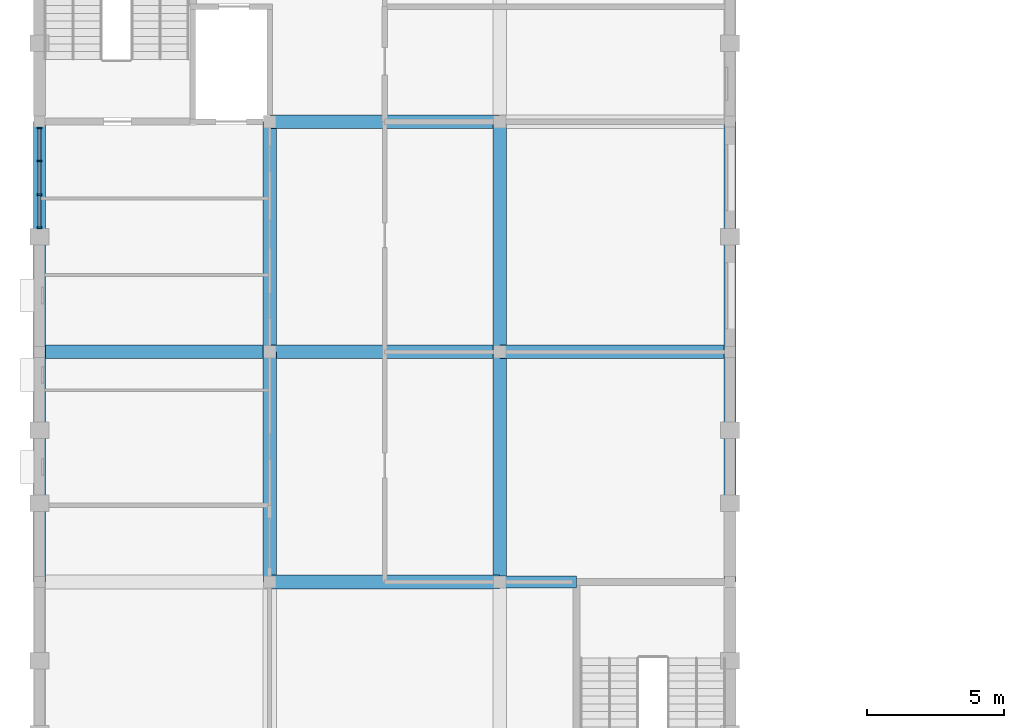
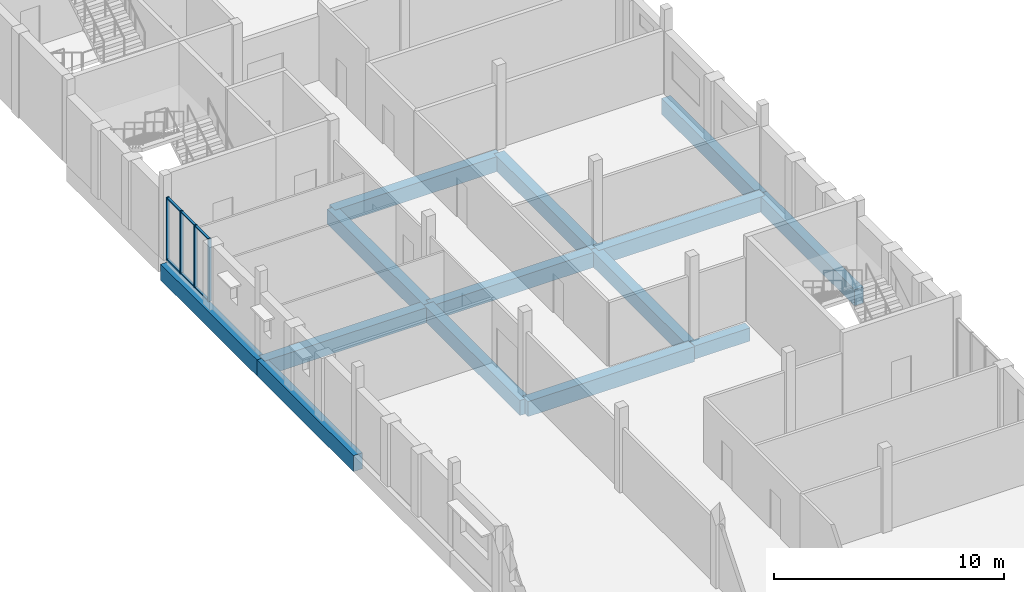
# One storey, part 5 of 30: 14 beams, 10 members, 1 element without a shape of its own.
"""IFC4 building model written with IfcOpenShell, lengths in metres."""

from ifc_helpers import new_model, si_unit, direction, frame, origin, origin_2d, place, context, subcontext, project, spatial, rectangle, extrude, material, material_profile, profile_set, type_object, element, aggregate, save


model = new_model("IFC4")

# Units and contexts
model_context = context("Model", 3, precision=1e-05, world=origin(), true_north=direction((0.0, 1.0)))
body_context = subcontext(model_context, "Body", "Model", "MODEL_VIEW")
ifc_project = project(units=[si_unit("LENGTHUNIT", "METRE"), si_unit("AREAUNIT", "SQUARE_METRE"), si_unit("VOLUMEUNIT", "CUBIC_METRE"), si_unit("PLANEANGLEUNIT", "RADIAN"), si_unit("MASSUNIT", "GRAM", prefix="KILO")], contexts=[model_context])

# Site, building, storey
site_placement = place(None, origin())
site = spatial("IfcSite", under=ifc_project, at=site_placement, CompositionType="ELEMENT")
building_placement = place(site_placement, origin())
building = spatial("IfcBuilding", under=site, at=building_placement, Name="Fescue Hill Polytechnic", CompositionType="ELEMENT")
storey_placement = place(building_placement, frame((0.0, 0.0, 22.5)))
storey = spatial("IfcBuildingStorey", under=building, at=storey_placement, Name="L05", CompositionType="ELEMENT", Elevation=22.5)

# Beams
ifc_material_1 = material(Name="Concrete 35 MPa", Category="concrete")
ifc_material_profile_1 = material_profile(ifc_material_1, rectangle(XDim=0.449951171875, YDim=0.699951171875, at=origin_2d()), Name="RC 450x700")
ifc_profile_set_1 = profile_set([ifc_material_profile_1], Name="Concrete 35 MPa")
beam_type_1 = type_object("IfcBeamType", Name="Beam RC 450x700", PredefinedType="BEAM", material=ifc_profile_set_1)
beam_1_placement = place(storey_placement, frame((16.81005859375, 84.0, -0.64990234375), z_axis=(1.0, 0.0, 0.0), x_axis=(0.0, 1.0, 0.0)))
element("IfcBeam", 1, at=beam_1_placement, inside=storey, type_object=beam_type_1, Name="BM-L05-0046", PredefinedType="BEAM", context=body_context, shape_type="SweptSolid", body=[
    extrude(rectangle(XDim=0.449951171875, YDim=0.699951171875, at=origin_2d()), origin(), (0.0, 0.0, 1.0), 2.7900390625),
])
ifc_material_profile_2 = material_profile(ifc_material_1, rectangle(XDim=0.449951171875, YDim=0.85009765625, at=origin_2d()), Name="RC 450x850")
ifc_profile_set_2 = profile_set([ifc_material_profile_2], Name="Concrete 35 MPa")
beam_type_2 = type_object("IfcBeamType", Name="Beam RC 450x850", PredefinedType="BEAM", material=ifc_profile_set_2)
beam_2_placement = place(storey_placement, frame((0.0, 84.0, -0.72509765625), z_axis=(0.0, 1.0, 0.0), x_axis=(-1.0, 0.0, 0.0)))
element("IfcBeam", 2, at=beam_2_placement, inside=storey, type_object=beam_type_2, Name="BM-L05-0004", PredefinedType="BEAM", context=body_context, shape_type="SweptSolid", body=[
    extrude(rectangle(XDim=0.449951171875, YDim=0.85009765625, at=origin_2d()), origin(), (0.0, 0.0, 1.0), 8.39990234375),
])
beam_3_placement = place(storey_placement, frame((0.0, 92.39990234375, -0.72509765625), z_axis=(0.0, 1.0, 0.0), x_axis=(-1.0, 0.0, 0.0)))
element("IfcBeam", 3, at=beam_3_placement, inside=storey, type_object=beam_type_2, Name="BM-L05-0005", PredefinedType="BEAM", context=body_context, shape_type="SweptSolid", body=[
    extrude(rectangle(XDim=0.449951171875, YDim=0.85009765625, at=origin_2d()), origin(), (0.0, 0.0, 1.0), 8.400146484375),
])
beam_4_placement = place(storey_placement, frame((25.199951171875, 84.0, -0.72509765625), z_axis=(0.0, 1.0, 0.0), x_axis=(-1.0, 0.0, 0.0)))
element("IfcBeam", 4, at=beam_4_placement, inside=storey, type_object=beam_type_2, Name="BM-L05-0053", PredefinedType="BEAM", context=body_context, shape_type="SweptSolid", body=[
    extrude(rectangle(XDim=0.449951171875, YDim=0.85009765625, at=origin_2d()), origin(), (0.0, 0.0, 1.0), 8.39990234375),
])
beam_5_placement = place(storey_placement, frame((25.199951171875, 92.39990234375, -0.72509765625), z_axis=(0.0, 1.0, 0.0), x_axis=(-1.0, 0.0, 0.0)))
element("IfcBeam", 5, at=beam_5_placement, inside=storey, type_object=beam_type_2, Name="BM-L05-0054", PredefinedType="BEAM", context=body_context, shape_type="SweptSolid", body=[
    extrude(rectangle(XDim=0.449951171875, YDim=0.85009765625, at=origin_2d()), origin(), (0.0, 0.0, 1.0), 8.400146484375),
])
ifc_material_profile_3 = material_profile(ifc_material_1, rectangle(XDim=0.5, YDim=0.800048828125, at=origin_2d()), Name="RC 500x800")
ifc_profile_set_3 = profile_set([ifc_material_profile_3], Name="Concrete 35 MPa")
beam_type_3 = type_object("IfcBeamType", Name="Beam RC 500x800", PredefinedType="BEAM", material=ifc_profile_set_3)
beam_6_placement = place(storey_placement, frame((0.010009765625, 92.39990234375, -0.699951171875), z_axis=(1.0, 0.0, 0.0), x_axis=(0.0, 1.0, 0.0)))
element("IfcBeam", 6, at=beam_6_placement, inside=storey, type_object=beam_type_3, Name="BM-L05-0011", PredefinedType="BEAM", context=body_context, shape_type="SweptSolid", body=[
    extrude(rectangle(XDim=0.5, YDim=0.800048828125, at=origin_2d()), origin(), (0.0, 0.0, 1.0), 8.3798828125),
])
beam_7_placement = place(storey_placement, frame((8.39990234375, 84.0, -0.699951171875), z_axis=(0.0, 1.0, 0.0), x_axis=(-1.0, 0.0, 0.0)))
element("IfcBeam", 7, at=beam_7_placement, inside=storey, type_object=beam_type_3, Name="BM-L05-0020", PredefinedType="BEAM", context=body_context, shape_type="SweptSolid", body=[
    extrude(rectangle(XDim=0.5, YDim=0.800048828125, at=origin_2d()), origin(), (0.0, 0.0, 1.0), 8.39990234375),
])
beam_8_placement = place(storey_placement, frame((8.39990234375, 92.39990234375, -0.699951171875), z_axis=(0.0, 1.0, 0.0), x_axis=(-1.0, 0.0, 0.0)))
element("IfcBeam", 8, at=beam_8_placement, inside=storey, type_object=beam_type_3, Name="BM-L05-0021", PredefinedType="BEAM", context=body_context, shape_type="SweptSolid", body=[
    extrude(rectangle(XDim=0.5, YDim=0.800048828125, at=origin_2d()), origin(), (0.0, 0.0, 1.0), 8.400146484375),
])
for number, where, z_axis, x_axis, name in (
    (9, (8.409912109375, 84.0, -0.699951171875), (1.0, 0.0, 0.0), (0.0, 1.0, 0.0), "BM-L05-0027"),
    (10, (8.409912109375, 92.39990234375, -0.699951171875), (1.0, 0.0, 0.0), (0.0, 1.0, 0.0), "BM-L05-0028"),
    (11, (8.409912109375, 100.800048828125, -0.699951171875), (1.0, 0.0, 0.0), (0.0, 1.0, 0.0), "BM-L05-0029"),
):
    element("IfcBeam", number, at=place(storey_placement, frame(where, z_axis=z_axis, x_axis=x_axis)), inside=storey, type_object=beam_type_3, Name=name, PredefinedType="BEAM", context=body_context, shape_type="SweptSolid", body=[
        extrude(rectangle(XDim=0.5, YDim=0.800048828125, at=origin_2d()), origin(), (0.0, 0.0, 1.0), 8.380126953125),
    ])
beam_9_placement = place(storey_placement, frame((16.800048828125, 84.0, -0.699951171875), z_axis=(0.0, 1.0, 0.0), x_axis=(-1.0, 0.0, 0.0)))
element("IfcBeam", 12, at=beam_9_placement, inside=storey, type_object=beam_type_3, Name="BM-L05-0036", PredefinedType="BEAM", context=body_context, shape_type="SweptSolid", body=[
    extrude(rectangle(XDim=0.5, YDim=0.800048828125, at=origin_2d()), origin(), (0.0, 0.0, 1.0), 8.39990234375),
])
beam_10_placement = place(storey_placement, frame((16.800048828125, 92.39990234375, -0.699951171875), z_axis=(0.0, 1.0, 0.0), x_axis=(-1.0, 0.0, 0.0)))
element("IfcBeam", 13, at=beam_10_placement, inside=storey, type_object=beam_type_3, Name="BM-L05-0037", PredefinedType="BEAM", context=body_context, shape_type="SweptSolid", body=[
    extrude(rectangle(XDim=0.5, YDim=0.800048828125, at=origin_2d()), origin(), (0.0, 0.0, 1.0), 8.400146484375),
])
beam_11_placement = place(storey_placement, frame((16.81005859375, 92.39990234375, -0.699951171875), z_axis=(1.0, 0.0, 0.0), x_axis=(0.0, 1.0, 0.0)))
element("IfcBeam", 14, at=beam_11_placement, inside=storey, type_object=beam_type_3, Name="BM-L05-0047", PredefinedType="BEAM", context=body_context, shape_type="SweptSolid", body=[
    extrude(rectangle(XDim=0.5, YDim=0.800048828125, at=origin_2d()), origin(), (0.0, 0.0, 1.0), 8.3798828125),
])

# Curtain wall, members
ifc_material_2 = material(Name="Glass", Category="glass")
curtain_wall_type = type_object("IfcCurtainWallType", Name="Curtain wall structural glazing", PredefinedType="NOTDEFINED", material=ifc_material_2)
curtain_wall_placement = place(storey_placement, origin())
curtain_wall = element("IfcCurtainWall", 15, at=curtain_wall_placement, inside=storey, type_object=curtain_wall_type, Name="CW-L05-V4-X2", PredefinedType="NOTDEFINED")
ifc_material_3 = material(Name="Powder-coated aluminium", Category="aluminium")
ifc_material_profile_4 = material_profile(ifc_material_3, rectangle(XDim=0.159912109375, YDim=0.06005859375, at=origin_2d()), Name="Mullion aluminium 60x160")
ifc_profile_set_4 = profile_set([ifc_material_profile_4], Name="Powder-coated aluminium")
member_type_1 = type_object("IfcMemberType", Name="Mullion aluminium 60x160", PredefinedType="MULLION", material=ifc_profile_set_4)
member_1_placement = place(storey_placement, frame((0.0, 100.570068359375, 0.0), z_axis=(0.0, 0.0, 1.0), x_axis=(1.0, 0.0, 0.0)))
member_1 = element("IfcMember", 16, at=member_1_placement, type_object=member_type_1, Name="CW131 mullion 1", PredefinedType="MULLION", context=body_context, shape_type="SweptSolid", body=[
    extrude(rectangle(XDim=0.159912109375, YDim=0.06005859375, at=origin_2d()), origin(), (0.0, 0.0, 1.0), 3.330078125),
])
member_2_placement = place(storey_placement, frame((0.0, 99.36669921875, 0.0), z_axis=(0.0, 0.0, 1.0), x_axis=(1.0, 0.0, 0.0)))
member_2 = element("IfcMember", 17, at=member_2_placement, type_object=member_type_1, Name="CW131 mullion 2", PredefinedType="MULLION", context=body_context, shape_type="SweptSolid", body=[
    extrude(rectangle(XDim=0.159912109375, YDim=0.06005859375, at=origin_2d()), origin(), (0.0, 0.0, 1.0), 3.330078125),
])
member_3_placement = place(storey_placement, frame((0.0, 98.13330078125, 0.0), z_axis=(0.0, 0.0, 1.0), x_axis=(1.0, 0.0, 0.0)))
member_3 = element("IfcMember", 18, at=member_3_placement, type_object=member_type_1, Name="CW131 mullion 3", PredefinedType="MULLION", context=body_context, shape_type="SweptSolid", body=[
    extrude(rectangle(XDim=0.159912109375, YDim=0.06005859375, at=origin_2d()), origin(), (0.0, 0.0, 1.0), 3.330078125),
])
member_4_placement = place(storey_placement, frame((0.0, 96.929931640625, 0.0), z_axis=(0.0, 0.0, 1.0), x_axis=(1.0, 0.0, 0.0)))
member_4 = element("IfcMember", 19, at=member_4_placement, type_object=member_type_1, Name="CW131 mullion 4", PredefinedType="MULLION", context=body_context, shape_type="SweptSolid", body=[
    extrude(rectangle(XDim=0.159912109375, YDim=0.06005859375, at=origin_2d()), origin(), (0.0, 0.0, 1.0), 3.330078125),
])
ifc_material_profile_5 = material_profile(ifc_material_3, rectangle(XDim=0.1201171875, YDim=0.06005859375, at=origin_2d()), Name="Transom aluminium 60x120")
ifc_profile_set_5 = profile_set([ifc_material_profile_5], Name="Powder-coated aluminium")
member_type_2 = type_object("IfcMemberType", Name="Transom aluminium 60x120", PredefinedType="USERDEFINED", material=ifc_profile_set_5)
member_5_placement = place(storey_placement, frame((0.0, 100.5400390625, 0.030029296875), z_axis=(0.0, -1.0, 0.0), x_axis=(1.0, 0.0, 0.0)))
member_5 = element("IfcMember", 20, at=member_5_placement, type_object=member_type_2, Name="CW131 transom 1.1", ObjectType="TRANSOM", PredefinedType="USERDEFINED", context=body_context, shape_type="SweptSolid", body=[
    extrude(rectangle(XDim=0.1201171875, YDim=0.06005859375, at=origin_2d()), origin(), (0.0, 0.0, 1.0), 1.143310546875),
])
member_6_placement = place(storey_placement, frame((0.0, 100.5400390625, 3.300048828125), z_axis=(0.0, -1.0, 0.0), x_axis=(1.0, 0.0, 0.0)))
member_6 = element("IfcMember", 21, at=member_6_placement, type_object=member_type_2, Name="CW131 transom 1.2", ObjectType="TRANSOM", PredefinedType="USERDEFINED", context=body_context, shape_type="SweptSolid", body=[
    extrude(rectangle(XDim=0.1201171875, YDim=0.06005859375, at=origin_2d()), origin(), (0.0, 0.0, 1.0), 1.143310546875),
])
member_7_placement = place(storey_placement, frame((0.0, 99.336669921875, 0.030029296875), z_axis=(0.0, -1.0, 0.0), x_axis=(1.0, 0.0, 0.0)))
member_7 = element("IfcMember", 22, at=member_7_placement, type_object=member_type_2, Name="CW131 transom 2.1", ObjectType="TRANSOM", PredefinedType="USERDEFINED", context=body_context, shape_type="SweptSolid", body=[
    extrude(rectangle(XDim=0.1201171875, YDim=0.06005859375, at=origin_2d()), origin(), (0.0, 0.0, 1.0), 1.17333984375),
])
member_8_placement = place(storey_placement, frame((0.0, 99.336669921875, 3.300048828125), z_axis=(0.0, -1.0, 0.0), x_axis=(1.0, 0.0, 0.0)))
member_8 = element("IfcMember", 23, at=member_8_placement, type_object=member_type_2, Name="CW131 transom 2.2", ObjectType="TRANSOM", PredefinedType="USERDEFINED", context=body_context, shape_type="SweptSolid", body=[
    extrude(rectangle(XDim=0.1201171875, YDim=0.06005859375, at=origin_2d()), origin(), (0.0, 0.0, 1.0), 1.17333984375),
])
member_9_placement = place(storey_placement, frame((0.0, 98.103271484375, 0.030029296875), z_axis=(0.0, -1.0, 0.0), x_axis=(1.0, 0.0, 0.0)))
member_9 = element("IfcMember", 24, at=member_9_placement, type_object=member_type_2, Name="CW131 transom 3.1", ObjectType="TRANSOM", PredefinedType="USERDEFINED", context=body_context, shape_type="SweptSolid", body=[
    extrude(rectangle(XDim=0.1201171875, YDim=0.06005859375, at=origin_2d()), origin(), (0.0, 0.0, 1.0), 1.143310546875),
])
member_10_placement = place(storey_placement, frame((0.0, 98.103271484375, 3.300048828125), z_axis=(0.0, -1.0, 0.0), x_axis=(1.0, 0.0, 0.0)))
member_10 = element("IfcMember", 25, at=member_10_placement, type_object=member_type_2, Name="CW131 transom 3.2", ObjectType="TRANSOM", PredefinedType="USERDEFINED", context=body_context, shape_type="SweptSolid", body=[
    extrude(rectangle(XDim=0.1201171875, YDim=0.06005859375, at=origin_2d()), origin(), (0.0, 0.0, 1.0), 1.143310546875),
])
aggregate(curtain_wall, [member_1, member_2, member_3, member_4, member_5, member_6, member_7, member_8, member_9, member_10])

save(model, "model.ifc")
